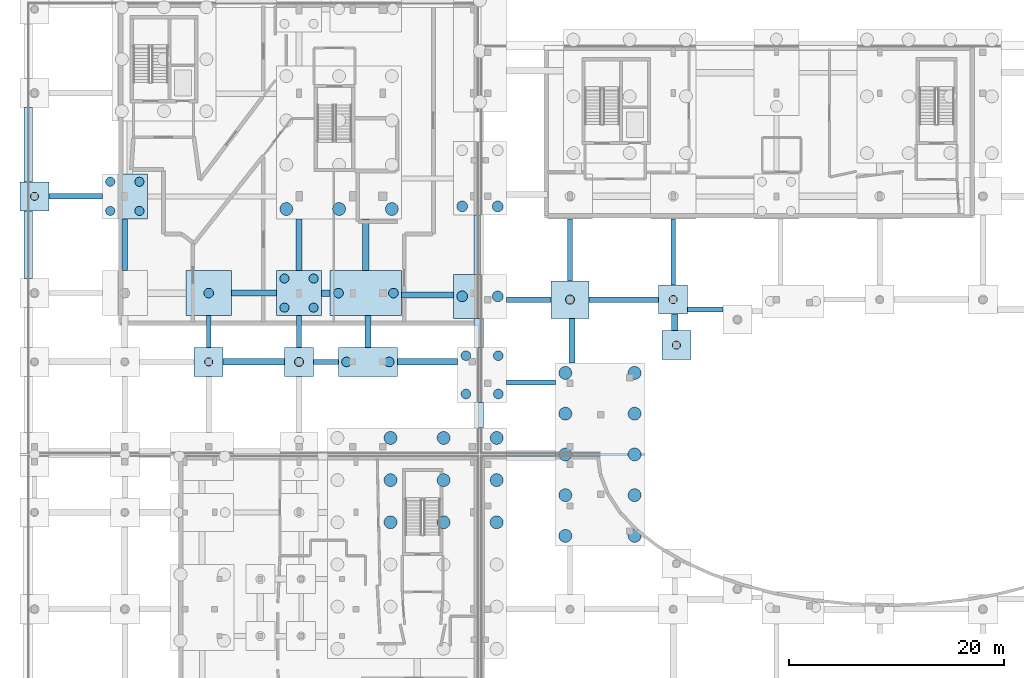
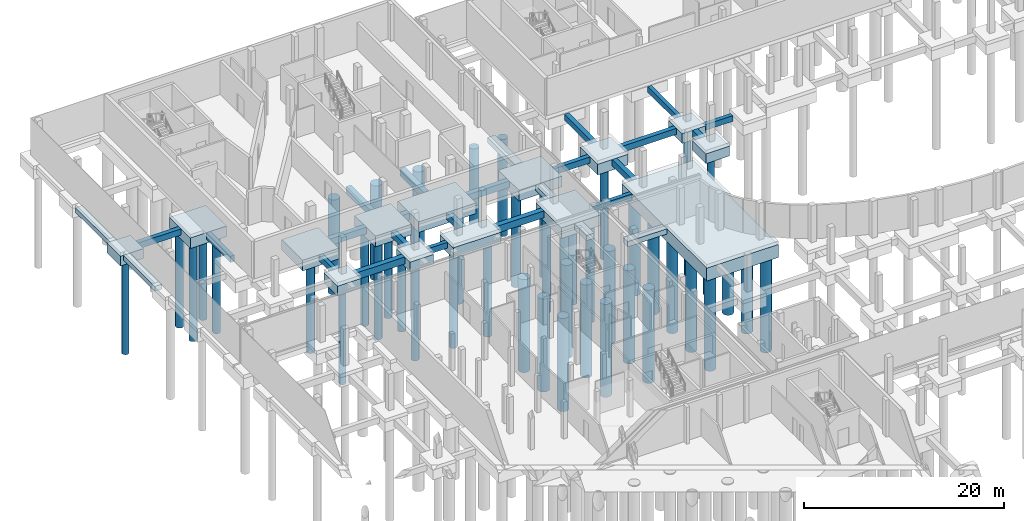
# One storey, part 6 of 40: 49 piles, 41 footings.
"""IFC4 building model written with IfcOpenShell, lengths in metres."""

from ifc_helpers import new_model, si_unit, direction, frame, origin, origin_2d, place, context, subcontext, project, spatial, polyline, circle, outline, extrude, material, material_profile, profile_set, type_object, element, save


model = new_model("IFC4")

# Units and contexts
model_context = context("Model", 3, precision=1e-05, world=origin(), true_north=direction((0.0, 1.0)))
body_context = subcontext(model_context, "Body", "Model", "MODEL_VIEW")
ifc_project = project(units=[si_unit("LENGTHUNIT", "METRE"), si_unit("AREAUNIT", "SQUARE_METRE"), si_unit("VOLUMEUNIT", "CUBIC_METRE"), si_unit("PLANEANGLEUNIT", "RADIAN"), si_unit("MASSUNIT", "GRAM", prefix="KILO")], contexts=[model_context])

# Site, building, storey
site_placement = place(None, origin())
site = spatial("IfcSite", under=ifc_project, at=site_placement, CompositionType="ELEMENT")
building_placement = place(site_placement, origin())
building = spatial("IfcBuilding", under=site, at=building_placement, Name="Mzevani Central Library", CompositionType="ELEMENT")
storey_placement = place(building_placement, frame((0.0, 0.0, -4.5)))
storey = spatial("IfcBuildingStorey", under=building, at=storey_placement, Name="B1", CompositionType="ELEMENT", Elevation=-4.5)

# Piles
ifc_material = material(Name="Concrete C40/50", Category="concrete")
ifc_material_profile_1 = material_profile(ifc_material, circle(Radius=0.5, at=origin_2d()), Name="PILE D1000")
ifc_profile_set_1 = profile_set([ifc_material_profile_1], Name="Concrete C40/50")
pile_type_1 = type_object("IfcPileType", Name="Bored Pile D1000", PredefinedType="BORED", material=ifc_profile_set_1)
for number, where, z_axis, x_axis, name in (
    (1, (44.3701171875, 90.699951171875, -1.6201171875), (0.0, 0.0, -1.0), (1.0, 0.0, 0.0), "B1 Bored Pile P-04 (145)"),
    (2, (47.679931640625, 90.699951171875, -1.6201171875), (0.0, 0.0, -1.0), (1.0, 0.0, 0.0), "B1 Bored Pile P-04 (146)"),
    (3, (44.3701171875, 99.070068359375, -1.6201171875), (0.0, 0.0, -1.0), (1.0, 0.0, 0.0), "B1 Bored Pile P-04 (147)"),
    (4, (47.679931640625, 99.070068359375, -1.6201171875), (0.0, 0.0, -1.0), (1.0, 0.0, 0.0), "B1 Bored Pile P-04 (149)"),
):
    element("IfcPile", number, at=place(storey_placement, frame(where, z_axis=z_axis, x_axis=x_axis)), inside=storey, type_object=pile_type_1, Name=name, PredefinedType="BORED", context=body_context, shape_type="SweptSolid", body=[
        extrude(circle(Radius=0.5, at=origin_2d()), origin(), (0.0, 0.0, 1.0), 11.8798828125),
    ])
ifc_material_profile_2 = material_profile(ifc_material, circle(Radius=0.60009765625, at=origin_2d()), Name="PILE D1200")
ifc_profile_set_2 = profile_set([ifc_material_profile_2], Name="Concrete C40/50")
pile_type_2 = type_object("IfcPileType", Name="Bored Pile D1200", PredefinedType="BORED", material=ifc_profile_set_2)
for number, where, z_axis, x_axis, name in (
    (5, (37.706787109375, 69.68603515625, -2.1201171875), (0.0, 0.0, -1.0), (1.0, 0.0, 0.0), "B1 Bored Pile P-06 (10)"),
    (6, (37.706787109375, 73.60791015625, -2.1201171875), (0.0, 0.0, -1.0), (1.0, 0.0, 0.0), "B1 Bored Pile P-06 (11)"),
    (7, (37.706787109375, 77.530029296875, -2.1201171875), (0.0, 0.0, -1.0), (1.0, 0.0, 0.0), "B1 Bored Pile P-06 (12)"),
    (8, (42.643310546875, 69.68603515625, -2.1201171875), (0.0, 0.0, -1.0), (1.0, 0.0, 0.0), "B1 Bored Pile P-06 (16)"),
    (9, (42.643310546875, 73.60791015625, -2.1201171875), (0.0, 0.0, -1.0), (1.0, 0.0, 0.0), "B1 Bored Pile P-06 (17)"),
    (10, (42.643310546875, 77.530029296875, -2.1201171875), (0.0, 0.0, -1.0), (1.0, 0.0, 0.0), "B1 Bored Pile P-06 (18)"),
    (11, (47.580078125, 69.68603515625, -2.1201171875), (0.0, 0.0, -1.0), (1.0, 0.0, 0.0), "B1 Bored Pile P-06 (22)"),
    (12, (47.580078125, 73.60791015625, -2.1201171875), (0.0, 0.0, -1.0), (1.0, 0.0, 0.0), "B1 Bored Pile P-06 (23)"),
    (13, (47.580078125, 77.530029296875, -2.1201171875), (0.0, 0.0, -1.0), (1.0, 0.0, 0.0), "B1 Bored Pile P-06 (24)"),
):
    element("IfcPile", number, at=place(storey_placement, frame(where, z_axis=z_axis, x_axis=x_axis)), inside=storey, type_object=pile_type_2, Name=name, PredefinedType="BORED", context=body_context, shape_type="SweptSolid", body=[
        extrude(circle(Radius=0.60009765625, at=origin_2d()), origin(), (0.0, 0.0, 1.0), 11.3798828125),
    ])
for number, where, z_axis, x_axis, name in (
    (14, (53.969970703125, 68.4208984375, -1.919921875), (0.0, 0.0, -1.0), (1.0, 0.0, 0.0), "B1 Bored Pile P-06 (26)"),
    (15, (53.969970703125, 72.21044921875, -1.919921875), (0.0, 0.0, -1.0), (1.0, 0.0, 0.0), "B1 Bored Pile P-06 (27)"),
    (16, (53.969970703125, 76.0, -1.919921875), (0.0, 0.0, -1.0), (1.0, 0.0, 0.0), "B1 Bored Pile P-06 (28)"),
    (17, (53.969970703125, 79.78955078125, -1.919921875), (0.0, 0.0, -1.0), (1.0, 0.0, 0.0), "B1 Bored Pile P-06 (29)"),
    (18, (53.969970703125, 83.5791015625, -1.919921875), (0.0, 0.0, -1.0), (1.0, 0.0, 0.0), "B1 Bored Pile P-06 (30)"),
    (19, (60.406005859375, 68.4208984375, -1.919921875), (0.0, 0.0, -1.0), (1.0, 0.0, 0.0), "B1 Bored Pile P-06 (31)"),
    (20, (60.406005859375, 72.21044921875, -1.919921875), (0.0, 0.0, -1.0), (1.0, 0.0, 0.0), "B1 Bored Pile P-06 (32)"),
    (21, (60.406005859375, 76.0, -1.919921875), (0.0, 0.0, -1.0), (1.0, 0.0, 0.0), "B1 Bored Pile P-06 (33)"),
    (22, (60.406005859375, 79.78955078125, -1.919921875), (0.0, 0.0, -1.0), (1.0, 0.0, 0.0), "B1 Bored Pile P-06 (34)"),
    (23, (60.406005859375, 83.5791015625, -1.919921875), (0.0, 0.0, -1.0), (1.0, 0.0, 0.0), "B1 Bored Pile P-06 (35)"),
    (24, (28.02001953125, 98.820068359375, -1.919921875), (0.0, 0.0, -1.0), (1.0, 0.0, 0.0), "B1 Bored Pile P-06 (119)"),
    (25, (32.925048828125, 98.820068359375, -1.919921875), (0.0, 0.0, -1.0), (1.0, 0.0, 0.0), "B1 Bored Pile P-06 (123)"),
    (26, (37.830078125, 98.820068359375, -1.919921875), (0.0, 0.0, -1.0), (1.0, 0.0, 0.0), "B1 Bored Pile P-06 (127)"),
):
    element("IfcPile", number, at=place(storey_placement, frame(where, z_axis=z_axis, x_axis=x_axis)), inside=storey, type_object=pile_type_2, Name=name, PredefinedType="BORED", context=body_context, shape_type="SweptSolid", body=[
        extrude(circle(Radius=0.60009765625, at=origin_2d()), origin(), (0.0, 0.0, 1.0), 11.580078125),
    ])
ifc_material_profile_3 = material_profile(ifc_material, circle(Radius=0.375, at=origin_2d()), Name="PILE D750")
ifc_profile_set_3 = profile_set([ifc_material_profile_3], Name="Concrete C40/50")
pile_type_3 = type_object("IfcPileType", Name="Bored Pile D750", PredefinedType="BORED", material=ifc_profile_set_3)
for number, where, z_axis, x_axis, name in (
    (27, (4.60009765625, 100.0, -1.52001953125), (0.0, 0.0, -1.0), (1.0, 0.0, 0.0), "B1 Bored Pile P-01 (98)"),
    (28, (20.800048828125, 84.60009765625, -1.52001953125), (0.0, 0.0, -1.0), (1.0, 0.0, 0.0), "B1 Bored Pile P-01 (110)"),
    (29, (64.0, 90.39990234375, -1.52001953125), (0.0, 0.0, -1.0), (1.0, 0.0, 0.0), "B1 Bored Pile P-01 (156)"),
    (30, (64.2939453125, 86.156005859375, -1.52001953125), (0.0, 0.0, -1.0), (1.0, 0.0, 0.0), "B1 Bored Pile P-01 (222)"),
):
    element("IfcPile", number, at=place(storey_placement, frame(where, z_axis=z_axis, x_axis=x_axis)), inside=storey, type_object=pile_type_3, Name=name, PredefinedType="BORED", context=body_context, shape_type="SweptSolid", body=[
        extrude(circle(Radius=0.375, at=origin_2d()), origin(), (0.0, 0.0, 1.0), 11.97998046875),
    ])
ifc_material_profile_4 = material_profile(ifc_material, circle(Radius=0.425048828125, at=origin_2d()), Name="PILE D850")
ifc_profile_set_4 = profile_set([ifc_material_profile_4], Name="Concrete C40/50")
pile_type_4 = type_object("IfcPileType", Name="Bored Pile D850", PredefinedType="BORED", material=ifc_profile_set_4)
for number, where, z_axis, x_axis, name in (
    (31, (11.64501953125, 98.64501953125, -1.6201171875), (0.0, 0.0, -1.0), (1.0, 0.0, 0.0), "B1 Bored Pile P-02 (104)"),
    (32, (11.64501953125, 101.35498046875, -1.6201171875), (0.0, 0.0, -1.0), (1.0, 0.0, 0.0), "B1 Bored Pile P-02 (105)"),
    (33, (14.35498046875, 98.64501953125, -1.6201171875), (0.0, 0.0, -1.0), (1.0, 0.0, 0.0), "B1 Bored Pile P-02 (106)"),
    (34, (14.35498046875, 101.35498046875, -1.6201171875), (0.0, 0.0, -1.0), (1.0, 0.0, 0.0), "B1 Bored Pile P-02 (107)"),
):
    element("IfcPile", number, at=place(storey_placement, frame(where, z_axis=z_axis, x_axis=x_axis)), inside=storey, type_object=pile_type_4, Name=name, PredefinedType="BORED", context=body_context, shape_type="SweptSolid", body=[
        extrude(circle(Radius=0.425048828125, at=origin_2d()), origin(), (0.0, 0.0, 1.0), 11.8798828125),
    ])
pile_placement = place(storey_placement, frame((29.199951171875, 84.60009765625, -1.52001953125), z_axis=(0.0, 0.0, -1.0), x_axis=(1.0, 0.0, 0.0)))
element("IfcPile", 35, at=pile_placement, inside=storey, type_object=pile_type_4, Name="B1 Bored Pile P-02 (114)", PredefinedType="BORED", context=body_context, shape_type="SweptSolid", body=[
    extrude(circle(Radius=0.425048828125, at=origin_2d()), origin(), (0.0, 0.0, 1.0), 11.97998046875),
])
for number, where, z_axis, x_axis, name in (
    (36, (27.844970703125, 89.64501953125, -1.6201171875), (0.0, 0.0, -1.0), (1.0, 0.0, 0.0), "B1 Bored Pile P-02 (115)"),
    (37, (27.844970703125, 92.35498046875, -1.6201171875), (0.0, 0.0, -1.0), (1.0, 0.0, 0.0), "B1 Bored Pile P-02 (116)"),
    (38, (30.554931640625, 89.64501953125, -1.6201171875), (0.0, 0.0, -1.0), (1.0, 0.0, 0.0), "B1 Bored Pile P-02 (117)"),
    (39, (30.554931640625, 92.35498046875, -1.6201171875), (0.0, 0.0, -1.0), (1.0, 0.0, 0.0), "B1 Bored Pile P-02 (118)"),
    (40, (54.39990234375, 90.39990234375, -1.6201171875), (0.0, 0.0, -1.0), (1.0, 0.0, 0.0), "B1 Bored Pile P-02 (154)"),
):
    element("IfcPile", number, at=place(storey_placement, frame(where, z_axis=z_axis, x_axis=x_axis)), inside=storey, type_object=pile_type_4, Name=name, PredefinedType="BORED", context=body_context, shape_type="SweptSolid", body=[
        extrude(circle(Radius=0.425048828125, at=origin_2d()), origin(), (0.0, 0.0, 1.0), 11.8798828125),
    ])
ifc_material_profile_5 = material_profile(ifc_material, circle(Radius=0.449951171875, at=origin_2d()), Name="PILE D900")
ifc_profile_set_5 = profile_set([ifc_material_profile_5], Name="Concrete C40/50")
pile_type_5 = type_object("IfcPileType", Name="Bored Pile D900", PredefinedType="BORED", material=ifc_profile_set_5)
for number, where, z_axis, x_axis, name in (
    (41, (20.800048828125, 91.0, -1.6201171875), (0.0, 0.0, -1.0), (1.0, 0.0, 0.0), "B1 Bored Pile P-03 (111)"),
    (42, (33.6201171875, 84.60009765625, -1.6201171875), (0.0, 0.0, -1.0), (1.0, 0.0, 0.0), "B1 Bored Pile P-03 (135)"),
    (43, (37.580078125, 84.60009765625, -1.6201171875), (0.0, 0.0, -1.0), (1.0, 0.0, 0.0), "B1 Bored Pile P-03 (136)"),
    (44, (32.8701171875, 91.0, -1.6201171875), (0.0, 0.0, -1.0), (1.0, 0.0, 0.0), "B1 Bored Pile P-03 (137)"),
    (45, (37.97998046875, 91.0, -1.6201171875), (0.0, 0.0, -1.0), (1.0, 0.0, 0.0), "B1 Bored Pile P-03 (138)"),
    (46, (44.719970703125, 81.6201171875, -1.6201171875), (0.0, 0.0, -1.0), (1.0, 0.0, 0.0), "B1 Bored Pile P-03 (141)"),
    (47, (44.719970703125, 85.179931640625, -1.6201171875), (0.0, 0.0, -1.0), (1.0, 0.0, 0.0), "B1 Bored Pile P-03 (142)"),
    (48, (47.72998046875, 81.6201171875, -1.6201171875), (0.0, 0.0, -1.0), (1.0, 0.0, 0.0), "B1 Bored Pile P-03 (143)"),
    (49, (47.72998046875, 85.179931640625, -1.6201171875), (0.0, 0.0, -1.0), (1.0, 0.0, 0.0), "B1 Bored Pile P-03 (144)"),
):
    element("IfcPile", number, at=place(storey_placement, frame(where, z_axis=z_axis, x_axis=x_axis)), inside=storey, type_object=pile_type_5, Name=name, PredefinedType="BORED", context=body_context, shape_type="SweptSolid", body=[
        extrude(circle(Radius=0.449951171875, at=origin_2d()), origin(), (0.0, 0.0, 1.0), 11.8798828125),
    ])

# Footings
footing_type_1 = type_object("IfcFootingType", Name="Ground Tie Beam RC 450x700", PredefinedType="FOOTING_BEAM", material=ifc_material)
footing_1_placement = place(storey_placement, frame((0.0, 0.0, -1.1201171875)))
element("IfcFooting", 50, at=footing_1_placement, inside=storey, type_object=footing_type_1, Name="MAT Ground Tie Beam GB-01 (29)", PredefinedType="FOOTING_BEAM", context=body_context, shape_type="SweptSolid", body=[
    extrude(outline(polyline([(30.550048828125, 84.375), (32.85009765625, 84.375), (32.85009765625, 84.824951171875), (30.550048828125, 84.824951171875), (30.550048828125, 84.375)])), origin(), (0.0, 0.0, 1.0), 0.7001953125),
])
footing_2_placement = place(storey_placement, frame((0.0, 0.0, -1.1201171875)))
element("IfcFooting", 51, at=footing_2_placement, inside=storey, type_object=footing_type_1, Name="MAT Ground Tie Beam GB-01 (41)", PredefinedType="FOOTING_BEAM", context=body_context, shape_type="SweptSolid", body=[
    extrude(outline(polyline([(48.5, 82.449462890625), (53.050048828125, 82.449462890625), (53.050048828125, 82.8994140625), (48.5, 82.8994140625), (48.5, 82.449462890625)])), origin(), (0.0, 0.0, 1.0), 0.7001953125),
])
footing_3_placement = place(storey_placement, frame((0.0, 0.0, -1.1201171875)))
element("IfcFooting", 52, at=footing_3_placement, inside=storey, type_object=footing_type_1, Name="MAT Ground Tie Beam GB-01 (53)", PredefinedType="FOOTING_BEAM", context=body_context, shape_type="SweptSolid", body=[
    extrude(outline(polyline([(65.35009765625, 89.239013671875), (68.615966796875, 89.239013671875), (68.615966796875, 89.68896484375), (65.35009765625, 89.68896484375), (65.35009765625, 89.239013671875)])), origin(), (0.0, 0.0, 1.0), 0.7001953125),
])
footing_4_placement = place(storey_placement, frame((0.0, 0.0, -1.1201171875)))
element("IfcFooting", 53, at=footing_4_placement, inside=storey, type_object=footing_type_1, Name="MAT Ground Tie Beam GB-01 (193)", PredefinedType="FOOTING_BEAM", context=body_context, shape_type="SweptSolid", body=[
    extrude(outline(polyline([(20.574951171875, 85.949951171875), (21.02490234375, 85.949951171875), (21.02490234375, 88.89990234375), (20.574951171875, 88.89990234375), (20.574951171875, 85.949951171875)])), origin(), (0.0, 0.0, 1.0), 0.7001953125),
])
footing_5_placement = place(storey_placement, frame((0.0, 0.0, -1.1201171875)))
element("IfcFooting", 54, at=footing_5_placement, inside=storey, type_object=footing_type_1, Name="MAT Ground Tie Beam GB-01 (205)", PredefinedType="FOOTING_BEAM", context=body_context, shape_type="SweptSolid", body=[
    extrude(outline(polyline([(63.77490234375, 91.75), (64.22509765625, 91.75), (64.22509765625, 97.89990234375), (63.77490234375, 97.89990234375), (63.77490234375, 91.75)])), origin(), (0.0, 0.0, 1.0), 0.7001953125),
])
footing_type_2 = type_object("IfcFootingType", Name="Ground Tie Beam RC 500x750", PredefinedType="FOOTING_BEAM", material=ifc_material)
footing_6_placement = place(storey_placement, frame((0.0, 0.0, -1.169921875)))
element("IfcFooting", 55, at=footing_6_placement, inside=storey, type_object=footing_type_2, Name="MAT Ground Tie Beam GB-02 (6)", PredefinedType="FOOTING_BEAM", context=body_context, shape_type="SweptSolid", body=[
    extrude(outline(polyline([(5.949951171875, 99.75), (10.89990234375, 99.75), (10.89990234375, 100.25), (5.949951171875, 100.25), (5.949951171875, 99.75)])), origin(), (0.0, 0.0, 1.0), 0.75),
])
footing_7_placement = place(storey_placement, frame((0.0, 0.0, -1.169921875)))
element("IfcFooting", 56, at=footing_7_placement, inside=storey, type_object=footing_type_2, Name="MAT Ground Tie Beam GB-02 (38)", PredefinedType="FOOTING_BEAM", context=body_context, shape_type="SweptSolid", body=[
    extrude(outline(polyline([(48.5, 90.14990234375), (52.64990234375, 90.14990234375), (52.64990234375, 90.64990234375), (48.5, 90.64990234375), (48.5, 90.14990234375)])), origin(), (0.0, 0.0, 1.0), 0.75),
])
footing_8_placement = place(storey_placement, frame((0.0, 0.0, -1.169921875)))
element("IfcFooting", 57, at=footing_8_placement, inside=storey, type_object=footing_type_2, Name="MAT Ground Tie Beam GB-02 (46)", PredefinedType="FOOTING_BEAM", context=body_context, shape_type="SweptSolid", body=[
    extrude(outline(polyline([(56.14990234375, 90.14990234375), (62.64990234375, 90.14990234375), (62.64990234375, 90.64990234375), (56.14990234375, 90.64990234375), (56.14990234375, 90.14990234375)])), origin(), (0.0, 0.0, 1.0), 0.75),
])
footing_9_placement = place(storey_placement, frame((0.0, 0.0, -1.169921875)))
element("IfcFooting", 58, at=footing_9_placement, inside=storey, type_object=footing_type_2, Name="MAT Ground Tie Beam GB-02 (194)", PredefinedType="FOOTING_BEAM", context=body_context, shape_type="SweptSolid", body=[
    extrude(outline(polyline([(28.949951171875, 85.949951171875), (29.449951171875, 85.949951171875), (29.449951171875, 88.89990234375), (28.949951171875, 88.89990234375), (28.949951171875, 85.949951171875)])), origin(), (0.0, 0.0, 1.0), 0.75),
])
footing_10_placement = place(storey_placement, frame((0.0, 0.0, -1.169921875)))
element("IfcFooting", 59, at=footing_10_placement, inside=storey, type_object=footing_type_2, Name="MAT Ground Tie Beam GB-02 (198)", PredefinedType="FOOTING_BEAM", context=body_context, shape_type="SweptSolid", body=[
    extrude(outline(polyline([(54.14990234375, 92.14990234375), (54.64990234375, 92.14990234375), (54.64990234375, 97.89990234375), (54.14990234375, 97.89990234375), (54.14990234375, 92.14990234375)])), origin(), (0.0, 0.0, 1.0), 0.75),
])
footing_11_placement = place(storey_placement, frame((0.0, 0.0, -1.169921875)))
element("IfcFooting", 60, at=footing_11_placement, inside=storey, type_object=footing_type_2, Name="MAT Ground Tie Beam GB-02 (202)", PredefinedType="FOOTING_BEAM", context=body_context, shape_type="SweptSolid", body=[
    extrude(outline(polyline([(12.75, 93.10009765625), (13.25, 93.10009765625), (13.25, 97.89990234375), (12.75, 97.89990234375), (12.75, 93.10009765625)])), origin(), (0.0, 0.0, 1.0), 0.75),
])
footing_type_3 = type_object("IfcFootingType", Name="Ground Tie Beam RC 550x800", PredefinedType="FOOTING_BEAM", material=ifc_material)
footing_12_placement = place(storey_placement, frame((0.0, 0.0, -1.219970703125)))
element("IfcFooting", 61, at=footing_12_placement, inside=storey, type_object=footing_type_3, Name="MAT Ground Tie Beam GB-03 (19)", PredefinedType="FOOTING_BEAM", context=body_context, shape_type="SweptSolid", body=[
    extrude(outline(polyline([(22.89990234375, 90.72509765625), (27.10009765625, 90.72509765625), (27.10009765625, 91.27490234375), (22.89990234375, 91.27490234375), (22.89990234375, 90.72509765625)])), origin(), (0.0, 0.0, 1.0), 0.800048828125),
])
footing_13_placement = place(storey_placement, frame((0.0, 0.0, -1.219970703125)))
element("IfcFooting", 62, at=footing_13_placement, inside=storey, type_object=footing_type_3, Name="MAT Ground Tie Beam GB-03 (35)", PredefinedType="FOOTING_BEAM", context=body_context, shape_type="SweptSolid", body=[
    extrude(outline(polyline([(38.75, 90.550048828125), (43.550048828125, 90.550048828125), (43.550048828125, 91.10009765625), (38.75, 91.10009765625), (38.75, 90.550048828125)])), origin(), (0.0, 0.0, 1.0), 0.800048828125),
])
footing_14_placement = place(storey_placement, frame((0.0, 0.0, -1.219970703125)))
element("IfcFooting", 63, at=footing_14_placement, inside=storey, type_object=footing_type_3, Name="MAT Ground Tie Beam GB-03 (179)", PredefinedType="FOOTING_BEAM", context=body_context, shape_type="SweptSolid", body=[
    extrude(outline(polyline([(54.324951171875, 84.4990234375), (54.875, 84.4990234375), (54.875, 88.64990234375), (54.324951171875, 88.64990234375), (54.324951171875, 84.4990234375)])), origin(), (0.0, 0.0, 1.0), 0.800048828125),
])
footing_15_placement = place(storey_placement, frame((0.0, 0.0, -1.219970703125)))
element("IfcFooting", 64, at=footing_15_placement, inside=storey, type_object=footing_type_3, Name="MAT Ground Tie Beam GB-03 (195)", PredefinedType="FOOTING_BEAM", context=body_context, shape_type="SweptSolid", body=[
    extrude(outline(polyline([(35.324951171875, 85.949951171875), (35.875, 85.949951171875), (35.875, 88.89990234375), (35.324951171875, 88.89990234375), (35.324951171875, 85.949951171875)])), origin(), (0.0, 0.0, 1.0), 0.800048828125),
])
footing_16_placement = place(storey_placement, frame((0.0, 0.0, -1.219970703125)))
element("IfcFooting", 65, at=footing_16_placement, inside=storey, type_object=footing_type_3, Name="MAT Ground Tie Beam GB-03 (203)", PredefinedType="FOOTING_BEAM", context=body_context, shape_type="SweptSolid", body=[
    extrude(outline(polyline([(28.925048828125, 93.10009765625), (29.47509765625, 93.10009765625), (29.47509765625, 97.89990234375), (28.925048828125, 97.89990234375), (28.925048828125, 93.10009765625)])), origin(), (0.0, 0.0, 1.0), 0.800048828125),
])
footing_type_4 = type_object("IfcFootingType", Name="Ground Tie Beam RC 600x850", PredefinedType="FOOTING_BEAM", material=ifc_material)
footing_17_placement = place(storey_placement, frame((0.0, 0.0, -1.27001953125)))
element("IfcFooting", 66, at=footing_17_placement, inside=storey, type_object=footing_type_4, Name="MAT Ground Tie Beam GB-04 (20)", PredefinedType="FOOTING_BEAM", context=body_context, shape_type="SweptSolid", body=[
    extrude(outline(polyline([(22.14990234375, 84.300048828125), (27.85009765625, 84.300048828125), (27.85009765625, 84.89990234375), (22.14990234375, 84.89990234375), (22.14990234375, 84.300048828125)])), origin(), (0.0, 0.0, 1.0), 0.85009765625),
])
footing_18_placement = place(storey_placement, frame((0.0, 0.0, -1.27001953125)))
element("IfcFooting", 67, at=footing_18_placement, inside=storey, type_object=footing_type_4, Name="MAT Ground Tie Beam GB-04 (24)", PredefinedType="FOOTING_BEAM", context=body_context, shape_type="SweptSolid", body=[
    extrude(outline(polyline([(31.300048828125, 90.699951171875), (32.10009765625, 90.699951171875), (32.10009765625, 91.300048828125), (31.300048828125, 91.300048828125), (31.300048828125, 90.699951171875)])), origin(), (0.0, 0.0, 1.0), 0.85009765625),
])
footing_19_placement = place(storey_placement, frame((0.0, 0.0, -1.27001953125)))
element("IfcFooting", 68, at=footing_19_placement, inside=storey, type_object=footing_type_4, Name="MAT Ground Tie Beam GB-04 (36)", PredefinedType="FOOTING_BEAM", context=body_context, shape_type="SweptSolid", body=[
    extrude(outline(polyline([(38.35009765625, 84.300048828125), (43.949951171875, 84.300048828125), (43.949951171875, 84.89990234375), (38.35009765625, 84.89990234375), (38.35009765625, 84.300048828125)])), origin(), (0.0, 0.0, 1.0), 0.85009765625),
])
footing_20_placement = place(storey_placement, frame((0.0, 0.0, -1.27001953125)))
element("IfcFooting", 69, at=footing_20_placement, inside=storey, type_object=footing_type_4, Name="MAT Ground Tie Beam GB-04 (196)", PredefinedType="FOOTING_BEAM", context=body_context, shape_type="SweptSolid", body=[
    extrude(outline(polyline([(63.846923828125, 87.506103515625), (64.447021484375, 87.506103515625), (64.447021484375, 89.050048828125), (63.846923828125, 89.050048828125), (63.846923828125, 87.506103515625)])), origin(), (0.0, 0.0, 1.0), 0.85009765625),
])
footing_21_placement = place(storey_placement, frame((0.0, 0.0, -1.27001953125)))
element("IfcFooting", 70, at=footing_21_placement, inside=storey, type_object=footing_type_4, Name="MAT Ground Tie Beam GB-04 (204)", PredefinedType="FOOTING_BEAM", context=body_context, shape_type="SweptSolid", body=[
    extrude(outline(polyline([(35.125, 93.10009765625), (35.72509765625, 93.10009765625), (35.72509765625, 97.89990234375), (35.125, 97.89990234375), (35.125, 93.10009765625)])), origin(), (0.0, 0.0, 1.0), 0.85009765625),
])
footing_type_5 = type_object("IfcFootingType", Name="Perimeter Strip Footing RC 800x600", PredefinedType="STRIP_FOOTING", material=ifc_material)
footing_22_placement = place(storey_placement, frame((0.0, 0.0, -1.02001953125)))
element("IfcFooting", 71, at=footing_22_placement, inside=storey, type_object=footing_type_5, Name="B1 Perimeter Strip Footing SF-01 (29)", PredefinedType="STRIP_FOOTING", context=body_context, shape_type="SweptSolid", body=[
    extrude(outline(polyline([(4.39990234375, 98.64990234375), (4.39990234375, 92.35009765625), (3.60009765625, 92.35009765625), (3.60009765625, 98.64990234375), (4.39990234375, 98.64990234375)])), origin(), (0.0, 0.0, 1.0), 0.60009765625),
])
footing_23_placement = place(storey_placement, frame((0.0, 0.0, -1.02001953125)))
element("IfcFooting", 72, at=footing_23_placement, inside=storey, type_object=footing_type_5, Name="B1 Perimeter Strip Footing SF-01 (30)", PredefinedType="STRIP_FOOTING", context=body_context, shape_type="SweptSolid", body=[
    extrude(outline(polyline([(4.39990234375, 108.25), (4.39990234375, 101.35009765625), (3.60009765625, 101.35009765625), (3.60009765625, 108.25), (4.39990234375, 108.25)])), origin(), (0.0, 0.0, 1.0), 0.60009765625),
])
footing_type_6 = type_object("IfcFootingType", Name="Perimeter Strip Footing RC 900x650", PredefinedType="STRIP_FOOTING", material=ifc_material)
footing_24_placement = place(storey_placement, frame((0.0, 0.0, -1.070068359375)))
element("IfcFooting", 73, at=footing_24_placement, inside=storey, type_object=footing_type_6, Name="B1 Perimeter Strip Footing SF-02 (14)", PredefinedType="STRIP_FOOTING", context=body_context, shape_type="SweptSolid", body=[
    extrude(outline(polyline([(48.5, 76.35009765625), (53.050048828125, 76.35009765625), (53.050048828125, 75.449951171875), (48.5, 75.449951171875), (48.5, 76.35009765625)])), origin(), (0.0, 0.0, 1.0), 0.650146484375),
])
footing_25_placement = place(storey_placement, frame((0.0, 0.0, -1.070068359375)))
element("IfcFooting", 74, at=footing_25_placement, inside=storey, type_object=footing_type_6, Name="B1 Perimeter Strip Footing SF-02 (21)", PredefinedType="STRIP_FOOTING", context=body_context, shape_type="SweptSolid", body=[
    extrude(outline(polyline([(45.449951171875, 92.75), (45.449951171875, 98.25), (46.35009765625, 98.25), (46.35009765625, 92.75), (45.449951171875, 92.75)])), origin(), (0.0, 0.0, 1.0), 0.650146484375),
])
footing_26_placement = place(storey_placement, frame((0.0, 0.0, -1.070068359375)))
element("IfcFooting", 75, at=footing_26_placement, inside=storey, type_object=footing_type_6, Name="B1 Perimeter Strip Footing SF-02 (22)", PredefinedType="STRIP_FOOTING", context=body_context, shape_type="SweptSolid", body=[
    extrude(outline(polyline([(45.449951171875, 85.949951171875), (45.449951171875, 88.64990234375), (46.35009765625, 88.64990234375), (46.35009765625, 85.949951171875), (45.449951171875, 85.949951171875)])), origin(), (0.0, 0.0, 1.0), 0.650146484375),
])
footing_27_placement = place(storey_placement, frame((0.0, 0.0, -1.070068359375)))
element("IfcFooting", 76, at=footing_27_placement, inside=storey, type_object=footing_type_6, Name="B1 Perimeter Strip Footing SF-02 (23)", PredefinedType="STRIP_FOOTING", context=body_context, shape_type="SweptSolid", body=[
    extrude(outline(polyline([(45.449951171875, 78.449951171875), (45.449951171875, 80.85009765625), (46.35009765625, 80.85009765625), (46.35009765625, 78.449951171875), (45.449951171875, 78.449951171875)])), origin(), (0.0, 0.0, 1.0), 0.650146484375),
])
footing_type_7 = type_object("IfcFootingType", Name="Pile Cap RC 17000x8280x1600", PredefinedType="PILE_CAP", material=ifc_material)
footing_28_placement = place(storey_placement, frame((0.0, 0.0, -2.02001953125)))
element("IfcFooting", 77, at=footing_28_placement, inside=storey, type_object=footing_type_7, Name="B1 Pile Cap PC-03 (3)", PredefinedType="PILE_CAP", context=body_context, shape_type="SweptSolid", body=[
    extrude(outline(polyline([(53.050048828125, 67.5009765625), (61.325927734375, 67.5009765625), (61.325927734375, 84.4990234375), (53.050048828125, 84.4990234375), (53.050048828125, 67.5009765625)])), origin(), (0.0, 0.0, 1.0), 1.60009765625),
])
footing_type_8 = type_object("IfcFootingType", Name="Pile Cap RC 2700x2700x1200", PredefinedType="PILE_CAP", material=ifc_material)
footing_29_placement = place(storey_placement, frame((0.0, 0.0, -1.6201171875)))
element("IfcFooting", 78, at=footing_29_placement, inside=storey, type_object=footing_type_8, Name="B1 Pile Cap PC-02 (50)", PredefinedType="PILE_CAP", context=body_context, shape_type="SweptSolid", body=[
    extrude(outline(polyline([(3.25, 98.64990234375), (5.949951171875, 98.64990234375), (5.949951171875, 101.35009765625), (3.25, 101.35009765625), (3.25, 98.64990234375)])), origin(), (0.0, 0.0, 1.0), 1.2001953125),
])
footing_30_placement = place(storey_placement, frame((0.0, 0.0, -1.6201171875)))
element("IfcFooting", 79, at=footing_30_placement, inside=storey, type_object=footing_type_8, Name="B1 Pile Cap PC-02 (58)", PredefinedType="PILE_CAP", context=body_context, shape_type="SweptSolid", body=[
    extrude(outline(polyline([(19.449951171875, 83.25), (22.14990234375, 83.25), (22.14990234375, 85.949951171875), (19.449951171875, 85.949951171875), (19.449951171875, 83.25)])), origin(), (0.0, 0.0, 1.0), 1.2001953125),
])
footing_31_placement = place(storey_placement, frame((0.0, 0.0, -1.6201171875)))
element("IfcFooting", 80, at=footing_31_placement, inside=storey, type_object=footing_type_8, Name="B1 Pile Cap PC-02 (61)", PredefinedType="PILE_CAP", context=body_context, shape_type="SweptSolid", body=[
    extrude(outline(polyline([(27.85009765625, 83.25), (30.550048828125, 83.25), (30.550048828125, 85.949951171875), (27.85009765625, 85.949951171875), (27.85009765625, 83.25)])), origin(), (0.0, 0.0, 1.0), 1.2001953125),
])
footing_32_placement = place(storey_placement, frame((0.0, 0.0, -1.6201171875)))
element("IfcFooting", 81, at=footing_32_placement, inside=storey, type_object=footing_type_8, Name="B1 Pile Cap PC-02 (74)", PredefinedType="PILE_CAP", context=body_context, shape_type="SweptSolid", body=[
    extrude(outline(polyline([(62.64990234375, 89.050048828125), (65.35009765625, 89.050048828125), (65.35009765625, 91.75), (62.64990234375, 91.75), (62.64990234375, 89.050048828125)])), origin(), (0.0, 0.0, 1.0), 1.2001953125),
])
footing_33_placement = place(storey_placement, frame((0.0, 0.0, -1.6201171875)))
element("IfcFooting", 82, at=footing_33_placement, inside=storey, type_object=footing_type_8, Name="B1 Pile Cap PC-02 (106)", PredefinedType="PILE_CAP", context=body_context, shape_type="SweptSolid", body=[
    extrude(outline(polyline([(62.944091796875, 84.805908203125), (65.64404296875, 84.805908203125), (65.64404296875, 87.506103515625), (62.944091796875, 87.506103515625), (62.944091796875, 84.805908203125)])), origin(), (0.0, 0.0, 1.0), 1.2001953125),
])
footing_type_9 = type_object("IfcFootingType", Name="Pile Cap RC 3500x3500x1300", PredefinedType="PILE_CAP", material=ifc_material)
footing_34_placement = place(storey_placement, frame((0.0, 0.0, -1.719970703125)))
element("IfcFooting", 83, at=footing_34_placement, inside=storey, type_object=footing_type_9, Name="B1 Pile Cap PC-26 (72)", PredefinedType="PILE_CAP", context=body_context, shape_type="SweptSolid", body=[
    extrude(outline(polyline([(52.64990234375, 88.64990234375), (56.14990234375, 88.64990234375), (56.14990234375, 92.14990234375), (52.64990234375, 92.14990234375), (52.64990234375, 88.64990234375)])), origin(), (0.0, 0.0, 1.0), 1.300048828125),
])
footing_type_10 = type_object("IfcFootingType", Name="Pile Cap RC 4200x4200x1300", PredefinedType="PILE_CAP", material=ifc_material)
footing_35_placement = place(storey_placement, frame((0.0, 0.0, -1.719970703125)))
element("IfcFooting", 84, at=footing_35_placement, inside=storey, type_object=footing_type_10, Name="B1 Pile Cap PC-16 (56)", PredefinedType="PILE_CAP", context=body_context, shape_type="SweptSolid", body=[
    extrude(outline(polyline([(10.89990234375, 97.89990234375), (15.10009765625, 97.89990234375), (15.10009765625, 102.10009765625), (10.89990234375, 102.10009765625), (10.89990234375, 97.89990234375)])), origin(), (0.0, 0.0, 1.0), 1.300048828125),
])
footing_36_placement = place(storey_placement, frame((0.0, 0.0, -1.719970703125)))
element("IfcFooting", 85, at=footing_36_placement, inside=storey, type_object=footing_type_10, Name="B1 Pile Cap PC-16 (59)", PredefinedType="PILE_CAP", context=body_context, shape_type="SweptSolid", body=[
    extrude(outline(polyline([(18.699951171875, 88.89990234375), (22.89990234375, 88.89990234375), (22.89990234375, 93.10009765625), (18.699951171875, 93.10009765625), (18.699951171875, 88.89990234375)])), origin(), (0.0, 0.0, 1.0), 1.300048828125),
])
footing_37_placement = place(storey_placement, frame((0.0, 0.0, -1.719970703125)))
element("IfcFooting", 86, at=footing_37_placement, inside=storey, type_object=footing_type_10, Name="B1 Pile Cap PC-16 (62)", PredefinedType="PILE_CAP", context=body_context, shape_type="SweptSolid", body=[
    extrude(outline(polyline([(27.10009765625, 88.89990234375), (31.300048828125, 88.89990234375), (31.300048828125, 93.10009765625), (27.10009765625, 93.10009765625), (27.10009765625, 88.89990234375)])), origin(), (0.0, 0.0, 1.0), 1.300048828125),
])
footing_type_11 = type_object("IfcFootingType", Name="Pile Cap RC 4950x4100x1300", PredefinedType="PILE_CAP", material=ifc_material)
footing_38_placement = place(storey_placement, frame((0.0, 0.0, -1.719970703125)))
element("IfcFooting", 87, at=footing_38_placement, inside=storey, type_object=footing_type_11, Name="B1 Pile Cap PC-23 (69)", PredefinedType="PILE_CAP", context=body_context, shape_type="SweptSolid", body=[
    extrude(outline(polyline([(43.550048828125, 88.64990234375), (48.5, 88.64990234375), (48.5, 92.75), (43.550048828125, 92.75), (43.550048828125, 88.64990234375)])), origin(), (0.0, 0.0, 1.0), 1.300048828125),
])
footing_type_12 = type_object("IfcFootingType", Name="Pile Cap RC 5100x4550x1300", PredefinedType="PILE_CAP", material=ifc_material)
footing_39_placement = place(storey_placement, frame((0.0, 0.0, -1.719970703125)))
element("IfcFooting", 88, at=footing_39_placement, inside=storey, type_object=footing_type_12, Name="B1 Pile Cap PC-22 (68)", PredefinedType="PILE_CAP", context=body_context, shape_type="SweptSolid", body=[
    extrude(outline(polyline([(43.949951171875, 80.85009765625), (48.5, 80.85009765625), (48.5, 85.949951171875), (43.949951171875, 85.949951171875), (43.949951171875, 80.85009765625)])), origin(), (0.0, 0.0, 1.0), 1.300048828125),
])
footing_type_13 = type_object("IfcFootingType", Name="Pile Cap RC 5500x2700x1300", PredefinedType="PILE_CAP", material=ifc_material)
footing_40_placement = place(storey_placement, frame((0.0, 0.0, -1.719970703125)))
element("IfcFooting", 89, at=footing_40_placement, inside=storey, type_object=footing_type_13, Name="B1 Pile Cap PC-20 (65)", PredefinedType="PILE_CAP", context=body_context, shape_type="SweptSolid", body=[
    extrude(outline(polyline([(32.85009765625, 83.25), (38.35009765625, 83.25), (38.35009765625, 85.949951171875), (32.85009765625, 85.949951171875), (32.85009765625, 83.25)])), origin(), (0.0, 0.0, 1.0), 1.300048828125),
])
footing_type_14 = type_object("IfcFootingType", Name="Pile Cap RC 6650x4200x1300", PredefinedType="PILE_CAP", material=ifc_material)
footing_41_placement = place(storey_placement, frame((0.0, 0.0, -1.719970703125)))
element("IfcFooting", 90, at=footing_41_placement, inside=storey, type_object=footing_type_14, Name="B1 Pile Cap PC-21 (66)", PredefinedType="PILE_CAP", context=body_context, shape_type="SweptSolid", body=[
    extrude(outline(polyline([(32.10009765625, 88.89990234375), (38.75, 88.89990234375), (38.75, 93.10009765625), (32.10009765625, 93.10009765625), (32.10009765625, 88.89990234375)])), origin(), (0.0, 0.0, 1.0), 1.300048828125),
])

save(model, "model.ifc")
